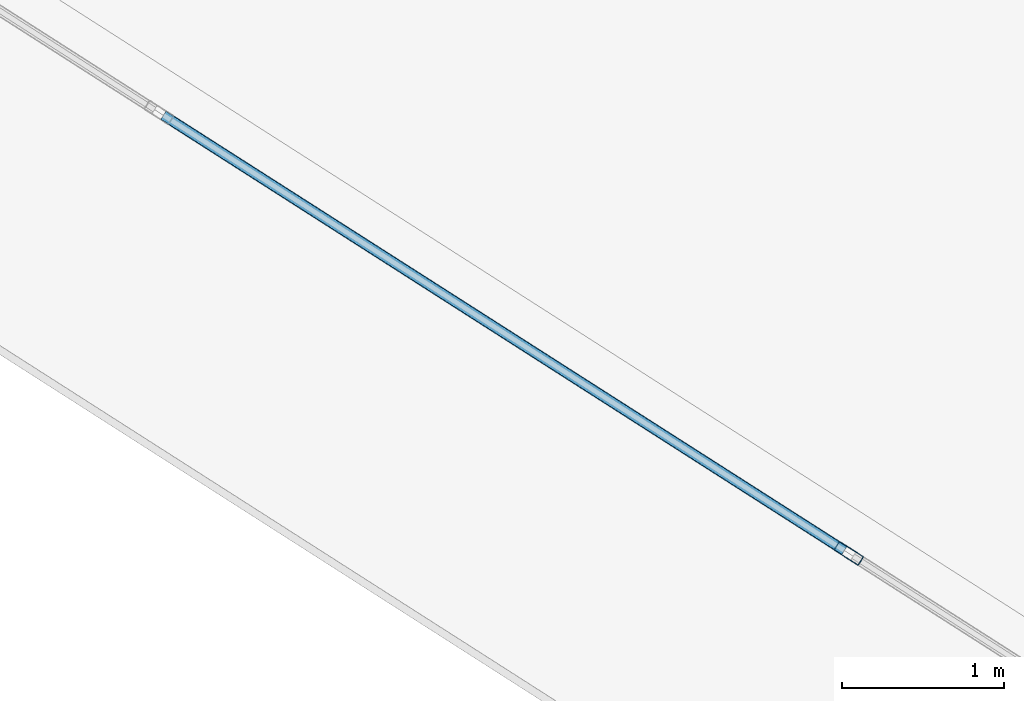
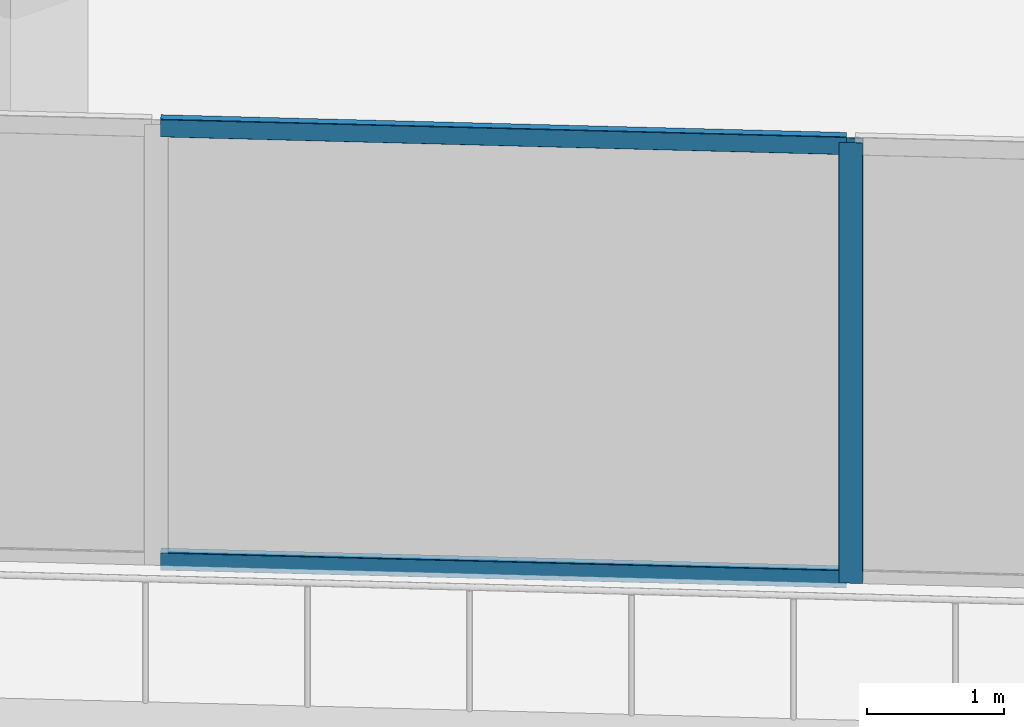
# One storey, part 8 of 42: 3 members, 1 element without a shape of its own.
"""IFC4 building model written with IfcOpenShell, lengths in metres."""

from ifc_helpers import new_model, si_unit, direction, frame, origin, origin_2d, place, context, subcontext, project, spatial, hollow_rectangle, extrude, material, layer, layer_set, material_profile, profile_set, type_object, element, aggregate, save


model = new_model("IFC4")

# Units and contexts
model_context = context("Model", 3, precision=1e-05, world=origin(), true_north=direction((0.0, 1.0)))
body_context = subcontext(model_context, "Body", "Model", "MODEL_VIEW")
ifc_project = project(units=[si_unit("LENGTHUNIT", "METRE"), si_unit("AREAUNIT", "SQUARE_METRE"), si_unit("VOLUMEUNIT", "CUBIC_METRE"), si_unit("PLANEANGLEUNIT", "RADIAN"), si_unit("MASSUNIT", "GRAM", prefix="KILO")], contexts=[model_context])

# Site, building, storey
site_placement = place(None, origin())
site = spatial("IfcSite", under=ifc_project, at=site_placement, CompositionType="ELEMENT")
building_placement = place(site_placement, origin())
building = spatial("IfcBuilding", under=site, at=building_placement, Name="Qorvath Tower", CompositionType="ELEMENT")
storey_placement = place(building_placement, frame((0.0, 0.0, 32.39990234375)))
storey = spatial("IfcBuildingStorey", under=building, at=storey_placement, Name="L06", CompositionType="ELEMENT", Elevation=32.39990234375)

# Curtain wall, members
ifc_material_1 = material(Name="Anodised aluminium and triple low-E glass", Category="aluminium")
ifc_layer = layer(ifc_material_1, 0.179931640625)
ifc_layer_set = layer_set([ifc_layer], Name="CW-SYS-2")
curtain_wall_type = type_object("IfcCurtainWallType", Name="CW-SYS-2", PredefinedType="NOTDEFINED", material=ifc_layer_set)
curtain_wall_placement = place(storey_placement, origin())
curtain_wall = element("IfcCurtainWall", 1, at=curtain_wall_placement, inside=storey, type_object=curtain_wall_type, Name="Curtain Wall CW-2 CW-T-L06-2.2", PredefinedType="NOTDEFINED")
ifc_material_2 = material(Name="Anodised aluminium 6063-T6", Category="aluminium")
ifc_material_profile_1 = material_profile(ifc_material_2, hollow_rectangle(XDim=0.06494140625, YDim=0.179931640625, WallThickness=0.00341796875, InnerFilletRadius=0.00341796875, OuterFilletRadius=0.007080078125, at=origin_2d()), Name="CWM 180x65")
ifc_profile_set_1 = profile_set([ifc_material_profile_1], Name="Anodised aluminium 6063-T6")
member_type_1 = type_object("IfcMemberType", Name="CWM-180", PredefinedType="MULLION", material=ifc_profile_set_1)
member_1_placement = place(storey_placement, frame((-27.575927734375, -25.51220703125, 0.0), z_axis=(0.0, 0.0, 1.0), x_axis=(0.538532593363, 0.842604679483, 0.0)))
member_1 = element("IfcMember", 2, at=member_1_placement, type_object=member_type_1, Name="CW-2 mullion 4", PredefinedType="MULLION", context=body_context, shape_type="SweptSolid", body=[
    extrude(hollow_rectangle(XDim=0.06494140625, YDim=0.179931640625, WallThickness=0.00341796875, InnerFilletRadius=0.00341796875, OuterFilletRadius=0.007080078125, at=origin_2d()), origin(), (0.0, 0.0, 1.0), 3.920166015625),
])
ifc_material_3 = material(Name="Anodised aluminium 6063-T6", Category="aluminium")
ifc_material_profile_2 = material_profile(ifc_material_3, hollow_rectangle(XDim=0.06494140625, YDim=0.159912109375, WallThickness=0.00341796875, InnerFilletRadius=0.00341796875, OuterFilletRadius=0.007080078125, at=origin_2d()), Name="CWT 160x65")
ifc_profile_set_2 = profile_set([ifc_material_profile_2], Name="Anodised aluminium 6063-T6")
member_type_2 = type_object("IfcMemberType", Name="CWT-160", PredefinedType="USERDEFINED", material=ifc_profile_set_2)
member_2_placement = place(storey_placement, frame((-31.818115234375, -22.80078125, 0.032470703125), z_axis=(0.842602751758, -0.538535609528, 0.0), x_axis=(0.538535609528, 0.842602751758, 0.0)))
member_2 = element("IfcMember", 3, at=member_2_placement, type_object=member_type_2, Name="CW-2 transom 3.1", ObjectType="TRANSOM", PredefinedType="USERDEFINED", context=body_context, shape_type="SweptSolid", body=[
    extrude(hollow_rectangle(XDim=0.06494140625, YDim=0.159912109375, WallThickness=0.00341796875, InnerFilletRadius=0.00341796875, OuterFilletRadius=0.007080078125, at=origin_2d()), origin(), (0.0, 0.0, 1.0), 5.002197265625),
])
member_3_placement = place(storey_placement, frame((-31.818115234375, -22.80078125, 3.8876953125), z_axis=(0.842602751758, -0.538535609528, 0.0), x_axis=(0.538535609528, 0.842602751758, 0.0)))
member_3 = element("IfcMember", 4, at=member_3_placement, type_object=member_type_2, Name="CW-2 transom 3.2", ObjectType="TRANSOM", PredefinedType="USERDEFINED", context=body_context, shape_type="SweptSolid", body=[
    extrude(hollow_rectangle(XDim=0.06494140625, YDim=0.159912109375, WallThickness=0.00341796875, InnerFilletRadius=0.00341796875, OuterFilletRadius=0.007080078125, at=origin_2d()), origin(), (0.0, 0.0, 1.0), 5.002197265625),
])
aggregate(curtain_wall, [member_1, member_2, member_3])

save(model, "model.ifc")
